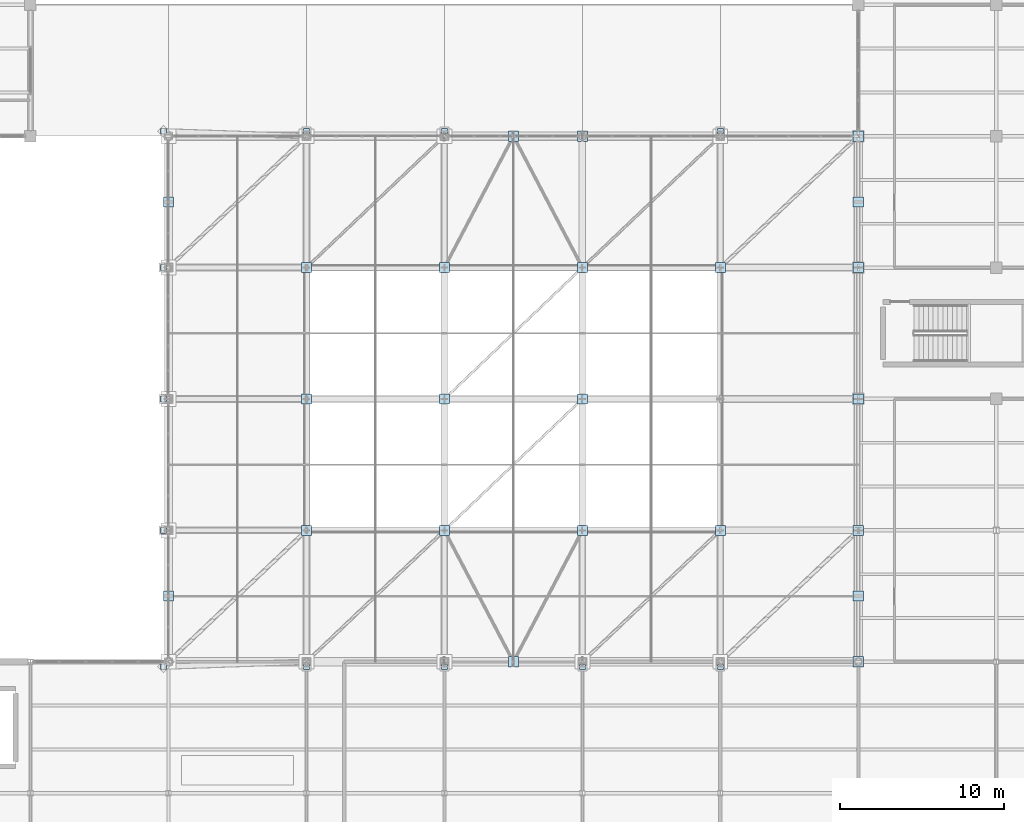
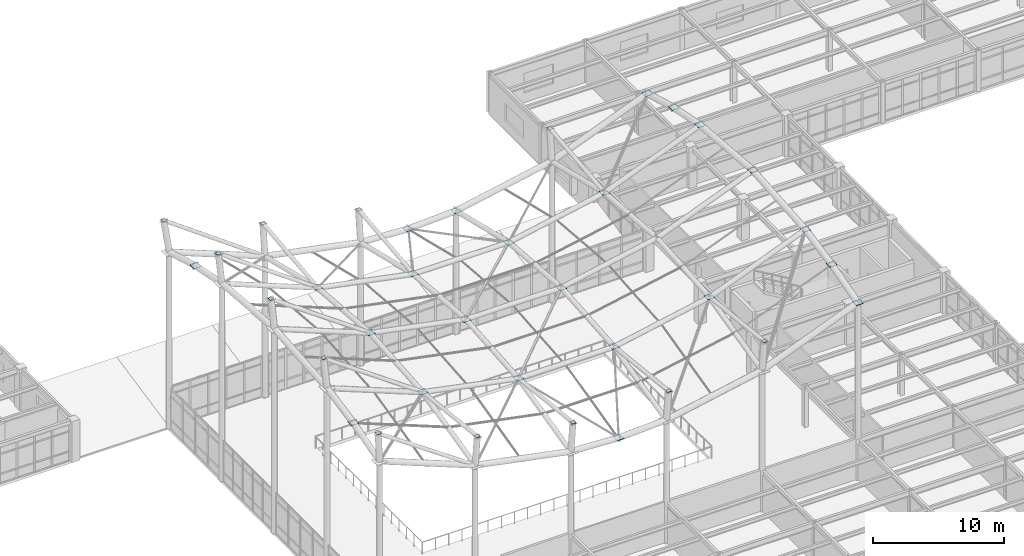
# One storey, part 67 of 138: 35 plates.
"""IFC4 building model written with IfcOpenShell, lengths in metres."""

from ifc_helpers import new_model, si_unit, direction, frame, origin, origin_2d, place, context, subcontext, project, spatial, rectangle, extrude, material, layer, layer_set, type_object, element, save


model = new_model("IFC4")

# Units and contexts
model_context = context("Model", 3, precision=1e-05, world=origin(), true_north=direction((0.0, 1.0)))
body_context = subcontext(model_context, "Body", "Model", "MODEL_VIEW")
ifc_project = project(units=[si_unit("LENGTHUNIT", "METRE"), si_unit("AREAUNIT", "SQUARE_METRE"), si_unit("VOLUMEUNIT", "CUBIC_METRE"), si_unit("PLANEANGLEUNIT", "RADIAN"), si_unit("MASSUNIT", "GRAM", prefix="KILO")], contexts=[model_context])

# Site, building, storey
site_placement = place(None, origin())
site = spatial("IfcSite", under=ifc_project, at=site_placement, CompositionType="ELEMENT")
building_placement = place(site_placement, origin())
building = spatial("IfcBuilding", under=site, at=building_placement, Name="Kranzveld Transit Interchange", CompositionType="ELEMENT")
storey_placement = place(building_placement, frame((0.0, 0.0, 5.43994140625)))
storey = spatial("IfcBuildingStorey", under=building, at=storey_placement, Name="L01", CompositionType="ELEMENT", Elevation=5.43994140625)

# Plates
ifc_material_1 = material(Name="Steel S355JR", Category="steel")
ifc_layer_1 = layer(ifc_material_1, 0.02490234375)
ifc_layer_set_1 = layer_set([ifc_layer_1], Name="Steel S355JR")
plate_type_1 = type_object("IfcPlateType", Name="Hollow End Cap Plate 360x360x25 S355JR", PredefinedType="SHEET", material=ifc_layer_set_1)
for number, where, z_axis, x_axis, name in (
    (1, (58.5, 55.699951171875, 19.16015625), (0.0, 0.0, 1.0), (1.0, 0.0, 0.0), "Mast Top Sealed Cap Plate M01"),
    (2, (58.5, 64.0, 21.110107421875), (0.0, 0.0, 1.0), (1.0, 0.0, 0.0), "Mast Top Sealed Cap Plate M02"),
    (3, (58.5, 72.0, 21.760009765625), (0.0, 0.0, 1.0), (1.0, 0.0, 0.0), "Mast Top Sealed Cap Plate M03"),
    (4, (58.5, 80.0, 21.110107421875), (0.0, 0.0, 1.0), (1.0, 0.0, 0.0), "Mast Top Sealed Cap Plate M04"),
    (5, (58.5, 88.300048828125, 19.16015625), (0.0, 0.0, 1.0), (1.0, 0.0, 0.0), "Mast Top Sealed Cap Plate M05"),
    (6, (67.199951171875, 55.699951171875, 15.83203125), (0.0, 0.0, 1.0), (1.0, 0.0, 0.0), "Mast Top Sealed Cap Plate M06"),
    (7, (75.60009765625, 55.699951171875, 14.168212890625), (0.0, 0.0, 1.0), (1.0, 0.0, 0.0), "Mast Top Sealed Cap Plate M07"),
    (8, (84.0, 55.699951171875, 14.168212890625), (0.0, 0.0, 1.0), (1.0, 0.0, 0.0), "Mast Top Sealed Cap Plate M08"),
    (9, (92.39990234375, 55.699951171875, 15.83203125), (0.0, 0.0, 1.0), (1.0, 0.0, 0.0), "Mast Top Sealed Cap Plate M09"),
    (10, (67.199951171875, 88.300048828125, 15.83203125), (0.0, 0.0, 1.0), (1.0, 0.0, 0.0), "Mast Top Sealed Cap Plate M10"),
    (11, (75.60009765625, 88.300048828125, 14.168212890625), (0.0, 0.0, 1.0), (1.0, 0.0, 0.0), "Mast Top Sealed Cap Plate M11"),
    (12, (92.39990234375, 88.300048828125, 15.83203125), (0.0, 0.0, 1.0), (1.0, 0.0, 0.0), "Mast Top Sealed Cap Plate M12"),
):
    element("IfcPlate", number, at=place(storey_placement, frame(where, z_axis=z_axis, x_axis=x_axis)), inside=storey, type_object=plate_type_1, Name=name, PredefinedType="SHEET", context=body_context, shape_type="SweptSolid", body=[
        extrude(rectangle(XDim=0.360107421875, YDim=0.360107421875, at=origin_2d()), origin(), (0.0, 0.0, 1.0), 0.02490234375),
    ])
ifc_material_2 = material(Name="Steel S355JR", Category="steel")
ifc_layer_2 = layer(ifc_material_2, 0.035888671875)
ifc_layer_set_2 = layer_set([ifc_layer_2], Name="Steel S355JR")
plate_type_2 = type_object("IfcPlateType", Name="Ring Node Gusset Plate 620x620x36 S355JR", PredefinedType="SHEET", material=ifc_layer_set_2)
for number, where, z_axis, x_axis, name in (
    (13, (79.800048828125, 56.0, 11.09228515625), (0.0, 0.0, 1.0), (1.0, 0.0, 0.0), "Compression Ring Node Gusset Plate 10mH"),
    (14, (100.800048828125, 56.0, 16.2919921875), (0.0, 0.0, 1.0), (1.0, 0.0, 0.0), "Compression Ring Node Gusset Plate 13H"),
    (15, (100.800048828125, 60.0, 17.4296875), (0.0, 0.0, 1.0), (1.0, 0.0, 0.0), "Compression Ring Node Gusset Plate 13Hm"),
    (16, (100.800048828125, 64.0, 18.2421875), (0.0, 0.0, 1.0), (1.0, 0.0, 0.0), "Compression Ring Node Gusset Plate 13J"),
    (17, (100.800048828125, 72.0, 18.89208984375), (0.0, 0.0, 1.0), (1.0, 0.0, 0.0), "Compression Ring Node Gusset Plate 13K"),
    (18, (100.800048828125, 80.0, 18.2421875), (0.0, 0.0, 1.0), (1.0, 0.0, 0.0), "Compression Ring Node Gusset Plate 13L"),
    (19, (100.800048828125, 84.0, 17.4296875), (0.0, 0.0, 1.0), (1.0, 0.0, 0.0), "Compression Ring Node Gusset Plate 13Lm"),
    (20, (100.800048828125, 88.0, 16.2919921875), (0.0, 0.0, 1.0), (1.0, 0.0, 0.0), "Compression Ring Node Gusset Plate 13M"),
    (21, (84.0, 88.0, 11.30029296875), (0.0, 0.0, 1.0), (1.0, 0.0, 0.0), "Compression Ring Node Gusset Plate 11M"),
    (22, (79.800048828125, 88.0, 11.09228515625), (0.0, 0.0, 1.0), (1.0, 0.0, 0.0), "Compression Ring Node Gusset Plate 10mM"),
    (23, (58.800048828125, 84.0, 17.4296875), (0.0, 0.0, 1.0), (1.0, 0.0, 0.0), "Compression Ring Node Gusset Plate 08Lm"),
    (24, (58.800048828125, 60.0, 17.4296875), (0.0, 0.0, 1.0), (1.0, 0.0, 0.0), "Compression Ring Node Gusset Plate 08Hm"),
    (25, (67.199951171875, 64.0, 14.9140625), (0.0, 0.0, 1.0), (1.0, 0.0, 0.0), "Brace and Strut Connection Gusset Plate 001"),
    (26, (67.199951171875, 72.0, 15.56396484375), (0.0, 0.0, 1.0), (1.0, 0.0, 0.0), "Brace and Strut Connection Gusset Plate 002"),
    (27, (67.199951171875, 80.0, 14.9140625), (0.0, 0.0, 1.0), (1.0, 0.0, 0.0), "Brace and Strut Connection Gusset Plate 003"),
    (28, (75.60009765625, 64.0, 13.25), (0.0, 0.0, 1.0), (1.0, 0.0, 0.0), "Brace and Strut Connection Gusset Plate 004"),
    (29, (84.0, 64.0, 13.25), (0.0, 0.0, 1.0), (1.0, 0.0, 0.0), "Brace and Strut Connection Gusset Plate 005"),
    (30, (92.39990234375, 64.0, 14.9140625), (0.0, 0.0, 1.0), (1.0, 0.0, 0.0), "Brace and Strut Connection Gusset Plate 006"),
    (31, (75.60009765625, 80.0, 13.25), (0.0, 0.0, 1.0), (1.0, 0.0, 0.0), "Brace and Strut Connection Gusset Plate 007"),
    (32, (92.39990234375, 80.0, 14.9140625), (0.0, 0.0, 1.0), (1.0, 0.0, 0.0), "Brace and Strut Connection Gusset Plate 008"),
    (33, (84.0, 80.0, 13.2001953125), (0.0, 0.0, 1.0), (1.0, 0.0, 0.0), "Brace and Strut Connection Gusset Plate 023"),
    (34, (84.0, 72.0, 13.85009765625), (0.0, 0.0, 1.0), (1.0, 0.0, 0.0), "Brace and Strut Connection Gusset Plate 024"),
    (35, (75.60009765625, 72.0, 13.85009765625), (0.0, 0.0, 1.0), (1.0, 0.0, 0.0), "Brace and Strut Connection Gusset Plate 025"),
):
    element("IfcPlate", number, at=place(storey_placement, frame(where, z_axis=z_axis, x_axis=x_axis)), inside=storey, type_object=plate_type_2, Name=name, PredefinedType="SHEET", context=body_context, shape_type="SweptSolid", body=[
        extrude(rectangle(XDim=0.6201171875, YDim=0.6201171875, at=origin_2d()), origin(), (0.0, 0.0, 1.0), 0.035888671875),
    ])

save(model, "model.ifc")
